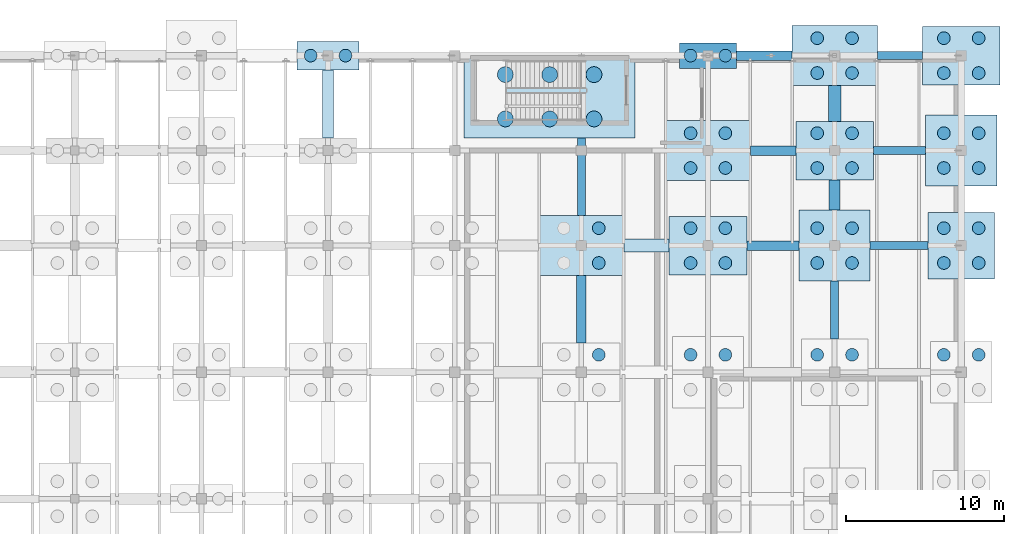
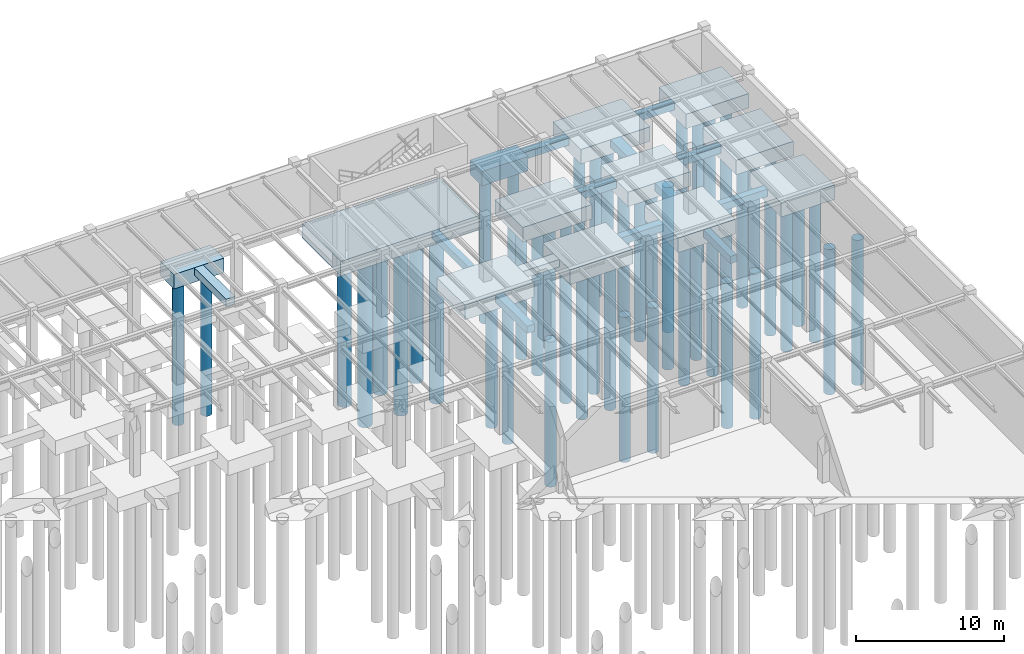
# One storey, part 10 of 71: 51 piles, 25 footings.
"""IFC4 building model written with IfcOpenShell, lengths in metres."""

from ifc_helpers import new_model, si_unit, direction, frame, origin, origin_2d, place, context, subcontext, project, spatial, rectangle, circle, extrude, material, material_profile, profile_set, type_object, element, save


model = new_model("IFC4")

# Units and contexts
model_context = context("Model", 3, precision=1e-05, world=origin(), true_north=direction((0.0, 1.0)))
body_context = subcontext(model_context, "Body", "Model", "MODEL_VIEW")
ifc_project = project(units=[si_unit("LENGTHUNIT", "METRE"), si_unit("AREAUNIT", "SQUARE_METRE"), si_unit("VOLUMEUNIT", "CUBIC_METRE"), si_unit("PLANEANGLEUNIT", "RADIAN"), si_unit("MASSUNIT", "GRAM", prefix="KILO")], contexts=[model_context])

# Site, building, storey
site_placement = place(None, origin())
site = spatial("IfcSite", under=ifc_project, at=site_placement, CompositionType="ELEMENT")
building_placement = place(site_placement, origin())
building = spatial("IfcBuilding", under=site, at=building_placement, Name="Sundkrona Museum", CompositionType="ELEMENT")
storey_placement = place(building_placement, frame((0.0, 0.0, -5.39990234375)))
storey = spatial("IfcBuildingStorey", under=building, at=storey_placement, Name="B1", CompositionType="ELEMENT", Elevation=-5.39990234375)

# Footings
ifc_material = material(Name="Concrete C40/50", Category="concrete")
footing_type_1 = type_object("IfcFootingType", Name="GB-500", PredefinedType="FOOTING_BEAM", material=ifc_material)
footing_1_placement = place(storey_placement, frame((164.074951171875, 102.0, -0.7001953125), z_axis=(0.0, 0.0, 1.0), x_axis=(1.0, 0.0, 0.0)))
element("IfcFooting", 1, at=footing_1_placement, inside=storey, type_object=footing_type_1, Name="Ground Tie Beam GB-X-170", PredefinedType="FOOTING_BEAM", context=body_context, shape_type="SweptSolid", body=[
    extrude(rectangle(XDim=3.64990234375, YDim=0.5, at=origin_2d()), origin(), (0.0, 0.0, 1.0), 0.60009765625),
])
footing_2_placement = place(storey_placement, frame((164.10009765625, 108.0, -0.7001953125), z_axis=(0.0, 0.0, 1.0), x_axis=(1.0, 0.0, 0.0)))
element("IfcFooting", 2, at=footing_2_placement, inside=storey, type_object=footing_type_1, Name="Ground Tie Beam GB-X-182", PredefinedType="FOOTING_BEAM", context=body_context, shape_type="SweptSolid", body=[
    extrude(rectangle(XDim=3.300048828125, YDim=0.5, at=origin_2d()), origin(), (0.0, 0.0, 1.0), 0.60009765625),
])
footing_3_placement = place(storey_placement, frame((164.125, 114.0, -0.7001953125), z_axis=(0.0, 0.0, 1.0), x_axis=(1.0, 0.0, 0.0)))
element("IfcFooting", 3, at=footing_3_placement, inside=storey, type_object=footing_type_1, Name="Ground Tie Beam GB-X-194", PredefinedType="FOOTING_BEAM", context=body_context, shape_type="SweptSolid", body=[
    extrude(rectangle(XDim=2.85009765625, YDim=0.5, at=origin_2d()), origin(), (0.0, 0.0, 1.0), 0.60009765625),
])
footing_4_placement = place(storey_placement, frame((144.0, 106.35009765625, -0.7001953125), z_axis=(0.0, 0.0, 1.0), x_axis=(0.0, 1.0, 0.0)))
element("IfcFooting", 4, at=footing_4_placement, inside=storey, type_object=footing_type_1, Name="Ground Tie Beam GB-Y-278", PredefinedType="FOOTING_BEAM", context=body_context, shape_type="SweptSolid", body=[
    extrude(rectangle(XDim=4.89990234375, YDim=0.5, at=origin_2d()), origin(), (0.0, 0.0, 1.0), 0.60009765625),
])
footing_5_placement = place(storey_placement, frame((160.0, 97.925048828125, -0.7001953125), z_axis=(0.0, 0.0, 1.0), x_axis=(0.0, 1.0, 0.0)))
element("IfcFooting", 5, at=footing_5_placement, inside=storey, type_object=footing_type_1, Name="Ground Tie Beam GB-Y-290", PredefinedType="FOOTING_BEAM", context=body_context, shape_type="SweptSolid", body=[
    extrude(rectangle(XDim=3.64990234375, YDim=0.5, at=origin_2d()), origin(), (0.0, 0.0, 1.0), 0.60009765625),
])
footing_type_2 = type_object("IfcFootingType", Name="GB-600", PredefinedType="FOOTING_BEAM", material=ifc_material)
footing_6_placement = place(storey_placement, frame((156.10009765625, 102.0, -0.7001953125), z_axis=(0.0, 0.0, 1.0), x_axis=(1.0, 0.0, 0.0)))
element("IfcFooting", 6, at=footing_6_placement, inside=storey, type_object=footing_type_2, Name="Ground Tie Beam GB-X-169", PredefinedType="FOOTING_BEAM", context=body_context, shape_type="SweptSolid", body=[
    extrude(rectangle(XDim=3.300048828125, YDim=0.60009765625, at=origin_2d()), origin(), (0.0, 0.0, 1.0), 0.60009765625),
])
footing_7_placement = place(storey_placement, frame((156.125, 108.0, -0.7001953125), z_axis=(0.0, 0.0, 1.0), x_axis=(1.0, 0.0, 0.0)))
element("IfcFooting", 7, at=footing_7_placement, inside=storey, type_object=footing_type_2, Name="Ground Tie Beam GB-X-181", PredefinedType="FOOTING_BEAM", context=body_context, shape_type="SweptSolid", body=[
    extrude(rectangle(XDim=2.85009765625, YDim=0.60009765625, at=origin_2d()), origin(), (0.0, 0.0, 1.0), 0.60009765625),
])
footing_8_placement = place(storey_placement, frame((155.550048828125, 114.0, -0.7001953125), z_axis=(0.0, 0.0, 1.0), x_axis=(1.0, 0.0, 0.0)))
element("IfcFooting", 8, at=footing_8_placement, inside=storey, type_object=footing_type_2, Name="Ground Tie Beam GB-X-193", PredefinedType="FOOTING_BEAM", context=body_context, shape_type="SweptSolid", body=[
    extrude(rectangle(XDim=3.5, YDim=0.60009765625, at=origin_2d()), origin(), (0.0, 0.0, 1.0), 0.60009765625),
])
footing_9_placement = place(storey_placement, frame((144.0, 97.97509765625, -0.7001953125), z_axis=(0.0, 0.0, 1.0), x_axis=(0.0, 1.0, 0.0)))
element("IfcFooting", 9, at=footing_9_placement, inside=storey, type_object=footing_type_2, Name="Ground Tie Beam GB-Y-277", PredefinedType="FOOTING_BEAM", context=body_context, shape_type="SweptSolid", body=[
    extrude(rectangle(XDim=4.25, YDim=0.60009765625, at=origin_2d()), origin(), (0.0, 0.0, 1.0), 0.60009765625),
])
footing_type_3 = type_object("IfcFootingType", Name="GB-700", PredefinedType="FOOTING_BEAM", material=ifc_material)
footing_10_placement = place(storey_placement, frame((128.0, 110.949951171875, -0.7001953125), z_axis=(0.0, 0.0, 1.0), x_axis=(0.0, 1.0, 0.0)))
element("IfcFooting", 10, at=footing_10_placement, inside=storey, type_object=footing_type_3, Name="Ground Tie Beam GB-Y-267", PredefinedType="FOOTING_BEAM", context=body_context, shape_type="SweptSolid", body=[
    extrude(rectangle(XDim=4.300048828125, YDim=0.699951171875, at=origin_2d()), origin(), (0.0, 0.0, 1.0), 0.60009765625),
])
footing_11_placement = place(storey_placement, frame((160.0, 105.199951171875, -0.7001953125), z_axis=(0.0, 0.0, 1.0), x_axis=(0.0, 1.0, 0.0)))
element("IfcFooting", 11, at=footing_11_placement, inside=storey, type_object=footing_type_3, Name="Ground Tie Beam GB-Y-291", PredefinedType="FOOTING_BEAM", context=body_context, shape_type="SweptSolid", body=[
    extrude(rectangle(XDim=1.89990234375, YDim=0.699951171875, at=origin_2d()), origin(), (0.0, 0.0, 1.0), 0.60009765625),
])
footing_type_4 = type_object("IfcFootingType", Name="GB-800", PredefinedType="FOOTING_BEAM", material=ifc_material)
footing_12_placement = place(storey_placement, frame((148.125, 102.0, -0.7001953125), z_axis=(0.0, 0.0, 1.0), x_axis=(1.0, 0.0, 0.0)))
element("IfcFooting", 12, at=footing_12_placement, inside=storey, type_object=footing_type_4, Name="Ground Tie Beam GB-X-168", PredefinedType="FOOTING_BEAM", context=body_context, shape_type="SweptSolid", body=[
    extrude(rectangle(XDim=2.85009765625, YDim=0.800048828125, at=origin_2d()), origin(), (0.0, 0.0, 1.0), 0.60009765625),
])
footing_13_placement = place(storey_placement, frame((160.0, 110.97509765625, -0.7001953125), z_axis=(0.0, 0.0, 1.0), x_axis=(0.0, 1.0, 0.0)))
element("IfcFooting", 13, at=footing_13_placement, inside=storey, type_object=footing_type_4, Name="Ground Tie Beam GB-Y-292", PredefinedType="FOOTING_BEAM", context=body_context, shape_type="SweptSolid", body=[
    extrude(rectangle(XDim=2.25, YDim=0.800048828125, at=origin_2d()), origin(), (0.0, 0.0, 1.0), 0.60009765625),
])

# Piles
ifc_material_profile_1 = material_profile(ifc_material, circle(Radius=0.5, at=origin_2d()), Name="PILE D1000")
ifc_profile_set_1 = profile_set([ifc_material_profile_1], Name="Concrete C40/50")
pile_type_1 = type_object("IfcPileType", Name="P-1000", PredefinedType="BORED", material=ifc_profile_set_1)
for number, where, z_axis, x_axis, name in (
    (14, (139.199951171875, 110.0, -1.150146484375), (0.0, 0.0, -1.0), (1.0, 0.0, 0.0), "Bored Pile FC-CORE5-P01"),
    (15, (142.0, 110.0, -1.150146484375), (0.0, 0.0, -1.0), (1.0, 0.0, 0.0), "Bored Pile FC-CORE5-P02"),
    (16, (144.800048828125, 110.0, -1.150146484375), (0.0, 0.0, -1.0), (1.0, 0.0, 0.0), "Bored Pile FC-CORE5-P03"),
    (17, (139.199951171875, 112.800048828125, -1.150146484375), (0.0, 0.0, -1.0), (1.0, 0.0, 0.0), "Bored Pile FC-CORE5-P04"),
    (18, (142.0, 112.800048828125, -1.150146484375), (0.0, 0.0, -1.0), (1.0, 0.0, 0.0), "Bored Pile FC-CORE5-P05"),
    (19, (144.800048828125, 112.800048828125, -1.150146484375), (0.0, 0.0, -1.0), (1.0, 0.0, 0.0), "Bored Pile FC-CORE5-P06"),
):
    element("IfcPile", number, at=place(storey_placement, frame(where, z_axis=z_axis, x_axis=x_axis)), inside=storey, type_object=pile_type_1, Name=name, PredefinedType="BORED", context=body_context, shape_type="SweptSolid", body=[
        extrude(circle(Radius=0.5, at=origin_2d()), origin(), (0.0, 0.0, 1.0), 14.0),
    ])
ifc_material_profile_2 = material_profile(ifc_material, circle(Radius=0.39990234375, at=origin_2d()), Name="PILE D800")
ifc_profile_set_2 = profile_set([ifc_material_profile_2], Name="Concrete C40/50")
pile_type_2 = type_object("IfcPileType", Name="P-800", PredefinedType="BORED", material=ifc_profile_set_2)
for number, where, z_axis, x_axis, name in (
    (20, (126.89990234375, 114.0, -1.150146484375), (0.0, 0.0, -1.0), (1.0, 0.0, 0.0), "Bored Pile FC-R-17-P01"),
    (21, (129.10009765625, 114.0, -1.150146484375), (0.0, 0.0, -1.0), (1.0, 0.0, 0.0), "Bored Pile FC-R-17-P02"),
    (22, (145.10009765625, 95.10009765625, -1.150146484375), (0.0, 0.0, -1.0), (1.0, 0.0, 0.0), "Bored Pile FC-N-19-P04"),
    (23, (145.10009765625, 100.89990234375, -1.150146484375), (0.0, 0.0, -1.0), (1.0, 0.0, 0.0), "Bored Pile FC-P-19-P02"),
    (24, (145.10009765625, 103.10009765625, -1.150146484375), (0.0, 0.0, -1.0), (1.0, 0.0, 0.0), "Bored Pile FC-P-19-P04"),
    (25, (150.89990234375, 95.10009765625, -1.150146484375), (0.0, 0.0, -1.0), (1.0, 0.0, 0.0), "Bored Pile FC-N-20-P03"),
    (26, (153.10009765625, 95.10009765625, -1.150146484375), (0.0, 0.0, -1.0), (1.0, 0.0, 0.0), "Bored Pile FC-N-20-P04"),
    (27, (150.89990234375, 100.89990234375, -1.150146484375), (0.0, 0.0, -1.0), (1.0, 0.0, 0.0), "Bored Pile FC-P-20-P01"),
    (28, (153.10009765625, 100.89990234375, -1.150146484375), (0.0, 0.0, -1.0), (1.0, 0.0, 0.0), "Bored Pile FC-P-20-P02"),
    (29, (150.89990234375, 103.10009765625, -1.150146484375), (0.0, 0.0, -1.0), (1.0, 0.0, 0.0), "Bored Pile FC-P-20-P03"),
    (30, (153.10009765625, 103.10009765625, -1.150146484375), (0.0, 0.0, -1.0), (1.0, 0.0, 0.0), "Bored Pile FC-P-20-P04"),
    (31, (150.89990234375, 106.89990234375, -1.150146484375), (0.0, 0.0, -1.0), (1.0, 0.0, 0.0), "Bored Pile FC-Q-20-P01"),
    (32, (153.10009765625, 106.89990234375, -1.150146484375), (0.0, 0.0, -1.0), (1.0, 0.0, 0.0), "Bored Pile FC-Q-20-P02"),
    (33, (150.89990234375, 109.10009765625, -1.150146484375), (0.0, 0.0, -1.0), (1.0, 0.0, 0.0), "Bored Pile FC-Q-20-P03"),
    (34, (153.10009765625, 109.10009765625, -1.150146484375), (0.0, 0.0, -1.0), (1.0, 0.0, 0.0), "Bored Pile FC-Q-20-P04"),
    (35, (150.89990234375, 114.0, -1.150146484375), (0.0, 0.0, -1.0), (1.0, 0.0, 0.0), "Bored Pile FC-R-20-P01"),
    (36, (153.10009765625, 114.0, -1.150146484375), (0.0, 0.0, -1.0), (1.0, 0.0, 0.0), "Bored Pile FC-R-20-P02"),
    (37, (158.89990234375, 95.10009765625, -1.150146484375), (0.0, 0.0, -1.0), (1.0, 0.0, 0.0), "Bored Pile FC-N-21-P03"),
    (38, (161.10009765625, 95.10009765625, -1.150146484375), (0.0, 0.0, -1.0), (1.0, 0.0, 0.0), "Bored Pile FC-N-21-P04"),
    (39, (158.89990234375, 100.89990234375, -1.150146484375), (0.0, 0.0, -1.0), (1.0, 0.0, 0.0), "Bored Pile FC-P-21-P01"),
    (40, (161.10009765625, 100.89990234375, -1.150146484375), (0.0, 0.0, -1.0), (1.0, 0.0, 0.0), "Bored Pile FC-P-21-P02"),
    (41, (158.89990234375, 103.10009765625, -1.150146484375), (0.0, 0.0, -1.0), (1.0, 0.0, 0.0), "Bored Pile FC-P-21-P03"),
    (42, (161.10009765625, 103.10009765625, -1.150146484375), (0.0, 0.0, -1.0), (1.0, 0.0, 0.0), "Bored Pile FC-P-21-P04"),
    (43, (158.89990234375, 106.89990234375, -1.150146484375), (0.0, 0.0, -1.0), (1.0, 0.0, 0.0), "Bored Pile FC-Q-21-P01"),
    (44, (161.10009765625, 106.89990234375, -1.150146484375), (0.0, 0.0, -1.0), (1.0, 0.0, 0.0), "Bored Pile FC-Q-21-P02"),
    (45, (158.89990234375, 109.10009765625, -1.150146484375), (0.0, 0.0, -1.0), (1.0, 0.0, 0.0), "Bored Pile FC-Q-21-P03"),
    (46, (161.10009765625, 109.10009765625, -1.150146484375), (0.0, 0.0, -1.0), (1.0, 0.0, 0.0), "Bored Pile FC-Q-21-P04"),
    (47, (158.89990234375, 112.89990234375, -1.150146484375), (0.0, 0.0, -1.0), (1.0, 0.0, 0.0), "Bored Pile FC-R-21-P01"),
    (48, (161.10009765625, 112.89990234375, -1.150146484375), (0.0, 0.0, -1.0), (1.0, 0.0, 0.0), "Bored Pile FC-R-21-P02"),
    (49, (158.89990234375, 115.10009765625, -1.150146484375), (0.0, 0.0, -1.0), (1.0, 0.0, 0.0), "Bored Pile FC-R-21-P03"),
    (50, (161.10009765625, 115.10009765625, -1.150146484375), (0.0, 0.0, -1.0), (1.0, 0.0, 0.0), "Bored Pile FC-R-21-P04"),
    (51, (166.89990234375, 95.10009765625, -1.150146484375), (0.0, 0.0, -1.0), (1.0, 0.0, 0.0), "Bored Pile FC-N-22-P03"),
    (52, (169.10009765625, 95.10009765625, -1.150146484375), (0.0, 0.0, -1.0), (1.0, 0.0, 0.0), "Bored Pile FC-N-22-P04"),
    (53, (166.89990234375, 100.89990234375, -1.150146484375), (0.0, 0.0, -1.0), (1.0, 0.0, 0.0), "Bored Pile FC-P-22-P01"),
    (54, (169.10009765625, 100.89990234375, -1.150146484375), (0.0, 0.0, -1.0), (1.0, 0.0, 0.0), "Bored Pile FC-P-22-P02"),
    (55, (166.89990234375, 103.10009765625, -1.150146484375), (0.0, 0.0, -1.0), (1.0, 0.0, 0.0), "Bored Pile FC-P-22-P03"),
    (56, (169.10009765625, 103.10009765625, -1.150146484375), (0.0, 0.0, -1.0), (1.0, 0.0, 0.0), "Bored Pile FC-P-22-P04"),
    (57, (166.89990234375, 106.89990234375, -1.150146484375), (0.0, 0.0, -1.0), (1.0, 0.0, 0.0), "Bored Pile FC-Q-22-P01"),
    (58, (169.10009765625, 106.89990234375, -1.150146484375), (0.0, 0.0, -1.0), (1.0, 0.0, 0.0), "Bored Pile FC-Q-22-P02"),
    (59, (166.89990234375, 109.10009765625, -1.150146484375), (0.0, 0.0, -1.0), (1.0, 0.0, 0.0), "Bored Pile FC-Q-22-P03"),
    (60, (169.10009765625, 109.10009765625, -1.150146484375), (0.0, 0.0, -1.0), (1.0, 0.0, 0.0), "Bored Pile FC-Q-22-P04"),
    (61, (166.89990234375, 112.89990234375, -1.150146484375), (0.0, 0.0, -1.0), (1.0, 0.0, 0.0), "Bored Pile FC-R-22-P01"),
    (62, (169.10009765625, 112.89990234375, -1.150146484375), (0.0, 0.0, -1.0), (1.0, 0.0, 0.0), "Bored Pile FC-R-22-P02"),
    (63, (166.89990234375, 115.10009765625, -1.150146484375), (0.0, 0.0, -1.0), (1.0, 0.0, 0.0), "Bored Pile FC-R-22-P03"),
    (64, (169.10009765625, 115.10009765625, -1.150146484375), (0.0, 0.0, -1.0), (1.0, 0.0, 0.0), "Bored Pile FC-R-22-P04"),
):
    element("IfcPile", number, at=place(storey_placement, frame(where, z_axis=z_axis, x_axis=x_axis)), inside=storey, type_object=pile_type_2, Name=name, PredefinedType="BORED", context=body_context, shape_type="SweptSolid", body=[
        extrude(circle(Radius=0.39990234375, at=origin_2d()), origin(), (0.0, 0.0, 1.0), 12.0),
    ])

# Footings
footing_type_5 = type_object("IfcFootingType", Name="PC-2A", PredefinedType="PILE_CAP", material=ifc_material)
footing_14_placement = place(storey_placement, frame((152.0, 114.0, -1.30029296875), z_axis=(0.0, 0.0, 1.0), x_axis=(1.0, 0.0, 0.0)))
element("IfcFooting", 65, at=footing_14_placement, inside=storey, type_object=footing_type_5, Name="Column Pile Cap R/20", PredefinedType="PILE_CAP", context=body_context, shape_type="SweptSolid", body=[
    extrude(rectangle(XDim=3.60009765625, YDim=1.60009765625, at=origin_2d()), origin(), (0.0, 0.0, 1.0), 1.199951171875),
])
footing_type_6 = type_object("IfcFootingType", Name="PC-2B", PredefinedType="PILE_CAP", material=ifc_material)
footing_15_placement = place(storey_placement, frame((128.0, 114.0, -1.30029296875), z_axis=(0.0, 0.0, 1.0), x_axis=(1.0, 0.0, 0.0)))
element("IfcFooting", 66, at=footing_15_placement, inside=storey, type_object=footing_type_6, Name="Column Pile Cap R/17", PredefinedType="PILE_CAP", context=body_context, shape_type="SweptSolid", body=[
    extrude(rectangle(XDim=3.89990234375, YDim=1.800048828125, at=origin_2d()), origin(), (0.0, 0.0, 1.0), 1.199951171875),
])
footing_type_7 = type_object("IfcFootingType", Name="PC-4C", PredefinedType="PILE_CAP", material=ifc_material)
footing_16_placement = place(storey_placement, frame((168.0, 102.0, -1.30029296875), z_axis=(0.0, 0.0, 1.0), x_axis=(1.0, 0.0, 0.0)))
element("IfcFooting", 67, at=footing_16_placement, inside=storey, type_object=footing_type_7, Name="Column Pile Cap P/22", PredefinedType="PILE_CAP", context=body_context, shape_type="SweptSolid", body=[
    extrude(rectangle(XDim=4.199951171875, YDim=4.199951171875, at=origin_2d()), origin(), (0.0, 0.0, 1.0), 1.199951171875),
])
footing_type_8 = type_object("IfcFootingType", Name="PC-4D", PredefinedType="PILE_CAP", material=ifc_material)
for number, where, z_axis, x_axis, name in (
    (68, (160.0, 102.0, -1.30029296875), (0.0, 0.0, 1.0), (1.0, 0.0, 0.0), "Column Pile Cap P/21"),
    (69, (168.0, 108.0, -1.30029296875), (0.0, 0.0, 1.0), (1.0, 0.0, 0.0), "Column Pile Cap Q/22"),
):
    element("IfcFooting", number, at=place(storey_placement, frame(where, z_axis=z_axis, x_axis=x_axis)), inside=storey, type_object=footing_type_8, Name=name, PredefinedType="PILE_CAP", context=body_context, shape_type="SweptSolid", body=[
        extrude(rectangle(XDim=4.5, YDim=4.5, at=origin_2d()), origin(), (0.0, 0.0, 1.0), 1.199951171875),
    ])
footing_type_9 = type_object("IfcFootingType", Name="PC-4E", PredefinedType="PILE_CAP", material=ifc_material)
for number, where, z_axis, x_axis, name in (
    (70, (152.0, 102.0, -1.30029296875), (0.0, 0.0, 1.0), (1.0, 0.0, 0.0), "Column Pile Cap P/20"),
    (71, (160.0, 108.0, -1.30029296875), (0.0, 0.0, 1.0), (1.0, 0.0, 0.0), "Column Pile Cap Q/21"),
    (72, (168.0, 114.0, -1.30029296875), (0.0, 0.0, 1.0), (1.0, 0.0, 0.0), "Column Pile Cap R/22"),
):
    element("IfcFooting", number, at=place(storey_placement, frame(where, z_axis=z_axis, x_axis=x_axis)), inside=storey, type_object=footing_type_9, Name=name, PredefinedType="PILE_CAP", context=body_context, shape_type="SweptSolid", body=[
        extrude(rectangle(XDim=4.89990234375, YDim=3.699951171875, at=origin_2d()), origin(), (0.0, 0.0, 1.0), 1.199951171875),
    ])
footing_type_10 = type_object("IfcFootingType", Name="PC-4F", PredefinedType="PILE_CAP", material=ifc_material)
for number, where, z_axis, x_axis, name in (
    (73, (144.0, 102.0, -1.30029296875), (0.0, 0.0, 1.0), (1.0, 0.0, 0.0), "Column Pile Cap P/19"),
    (74, (152.0, 108.0, -1.30029296875), (0.0, 0.0, 1.0), (1.0, 0.0, 0.0), "Column Pile Cap Q/20"),
    (75, (160.0, 114.0, -1.30029296875), (0.0, 0.0, 1.0), (1.0, 0.0, 0.0), "Column Pile Cap R/21"),
):
    element("IfcFooting", number, at=place(storey_placement, frame(where, z_axis=z_axis, x_axis=x_axis)), inside=storey, type_object=footing_type_10, Name=name, PredefinedType="PILE_CAP", context=body_context, shape_type="SweptSolid", body=[
        extrude(rectangle(XDim=5.39990234375, YDim=3.800048828125, at=origin_2d()), origin(), (0.0, 0.0, 1.0), 1.199951171875),
    ])
footing_type_11 = type_object("IfcFootingType", Name="PC-CMB-2", PredefinedType="PILE_CAP", material=ifc_material)
footing_17_placement = place(storey_placement, frame((142.0, 111.39990234375, -1.30029296875), z_axis=(0.0, 0.0, 1.0), x_axis=(1.0, 0.0, 0.0)))
element("IfcFooting", 76, at=footing_17_placement, inside=storey, type_object=footing_type_11, Name="Core 5 ST-5 Combined Pile Cap", PredefinedType="PILE_CAP", context=body_context, shape_type="SweptSolid", body=[
    extrude(rectangle(XDim=10.800048828125, YDim=5.199951171875, at=origin_2d()), origin(), (0.0, 0.0, 1.0), 1.199951171875),
])

save(model, "model.ifc")
